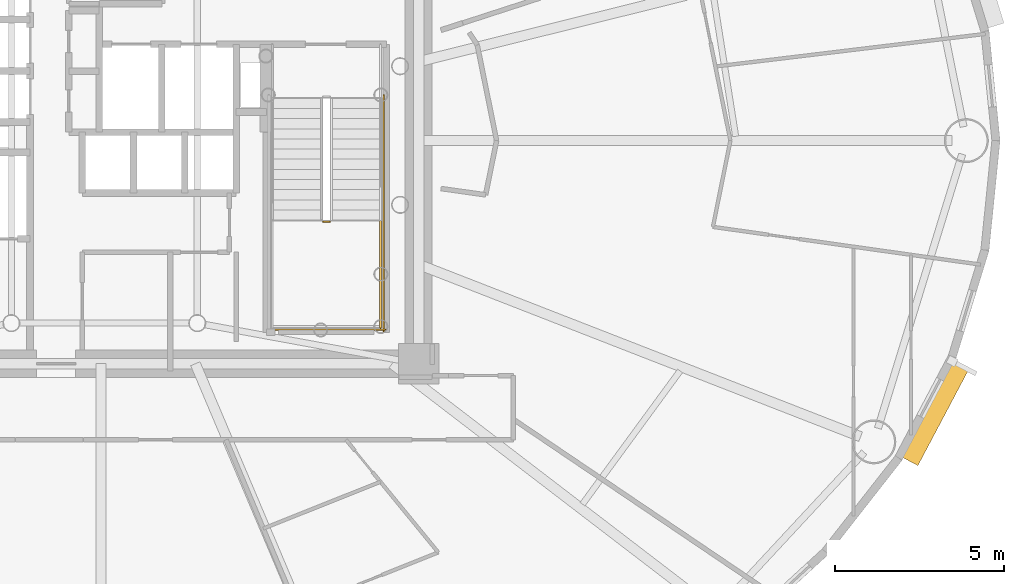
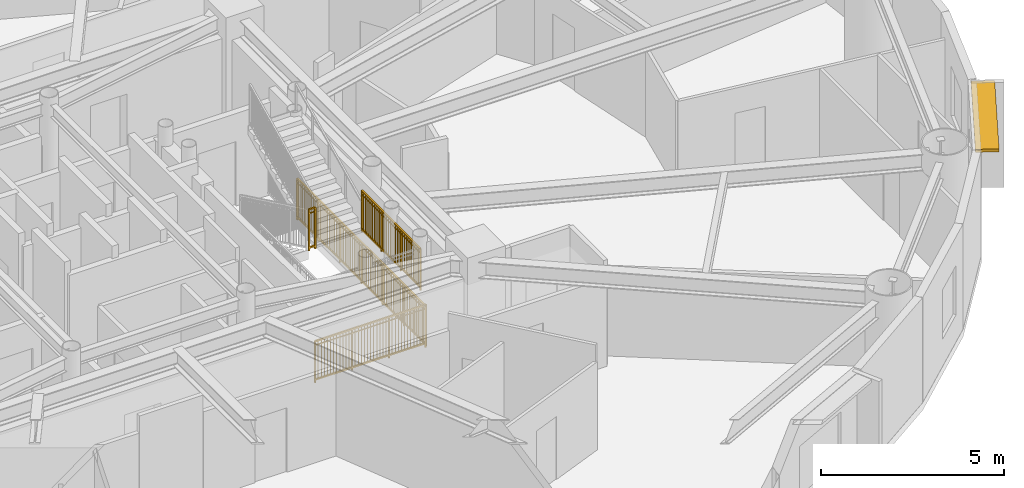
# One storey, part 18 of 20: 4 railings, 1 shading device.
"""IFC4 building model written with IfcOpenShell, lengths in metres."""

import ifcopenshell
import ifcopenshell.guid

model = None  # the IFC model being written
_history = None  # IfcOwnerHistory: only IFC2X3 demands one
_inside = {}  # id of a spatial element -> (the spatial element, [elements in it])
_under = {}  # id of a project, library or spatial element -> (it, [spatial elements below it])
_declared = {}  # id of a project -> (the project, [libraries it declares])
_typed = {}  # id of a type object -> (the type object, [elements of that type])
_made_of = {}  # id of a material, layer set ... -> (it, [elements and type objects made of it])


def new_model(schema):
    """Start an empty IFC model of exactly this schema.

    Asked for "IFC4X3", IfcOpenShell would pick the latest addendum, in which some entities
    have other attributes; the version numbers below select the first issue.
    IFC2X3 requires an IfcOwnerHistory on every rooted entity: one is made here for all.
    """
    global model, _history
    if schema == "IFC4X3":
        model = ifcopenshell.file(schema_version=(4, 3, 0, 0))
    else:
        model = ifcopenshell.file(schema=schema)
    _inside.clear()
    _under.clear()
    _declared.clear()
    _typed.clear()
    _made_of.clear()
    _history = None
    if model.schema == "IFC2X3":
        org = make("IfcOrganization", Name="unknown")
        user = make(
            "IfcPersonAndOrganization",
            ThePerson=make("IfcPerson", FamilyName="unknown"),
            TheOrganization=org,
        )
        app = make(
            "IfcApplication",
            ApplicationDeveloper=org,
            Version="unknown",
            ApplicationFullName="unknown",
            ApplicationIdentifier="unknown",
        )
        _history = make(
            "IfcOwnerHistory",
            OwningUser=user,
            OwningApplication=app,
            ChangeAction="ADDED",
            CreationDate=0,
        )
    return model


def make(cls, **values):
    """One entity of the class cls with the attributes given. An attribute that is None is left unset."""
    return model.create_entity(
        cls, **{name: value for name, value in values.items() if value is not None}
    )


def rooted(cls, **values):
    """An entity with a GlobalId (a new one), such as an element, a storey or a relation."""
    return make(cls, GlobalId=ifcopenshell.guid.new(), OwnerHistory=_history, **values)


def si_unit(unit_type, name, prefix=None):
    """IfcSIUnit, for example si_unit("LENGTHUNIT", "METRE", prefix="MILLI")."""
    return make("IfcSIUnit", UnitType=unit_type, Prefix=prefix, Name=name)


def assignment(units):
    """IfcUnitAssignment: the units of a project."""
    return None if units is None else make("IfcUnitAssignment", Units=units)


def point(xyz):
    """IfcCartesianPoint."""
    return None if xyz is None else make("IfcCartesianPoint", Coordinates=xyz)


def direction(xyz):
    """IfcDirection."""
    return None if xyz is None else make("IfcDirection", DirectionRatios=xyz)


def frame(location, z_axis=None, x_axis=None):
    """IfcAxis2Placement3D, a coordinate frame: its origin and axes. An axis left out is left unset."""
    return make(
        "IfcAxis2Placement3D",
        Location=point(location),
        Axis=direction(z_axis),
        RefDirection=direction(x_axis),
    )


def frame_2d(location, x_axis=None):
    """IfcAxis2Placement2D, a coordinate frame in the plane: its origin and x axis."""
    return make(
        "IfcAxis2Placement2D", Location=point(location), RefDirection=direction(x_axis)
    )


def origin():
    """The frame at (0, 0, 0) with its axes left unset."""
    return frame((0.0, 0.0, 0.0))


def origin_2d():
    """The frame at (0, 0) in the plane with its x axis left unset."""
    return frame_2d((0.0, 0.0))


def place(relative_to, where):
    """IfcLocalPlacement: puts the frame where relative to a parent placement (None: the world)."""
    return make(
        "IfcLocalPlacement", PlacementRelTo=relative_to, RelativePlacement=where
    )


def context(
    kind, dimensions, precision=None, world=None, true_north=None, identifier=None
):
    """IfcGeometricRepresentationContext, for example the 3D "Model" context."""
    return make(
        "IfcGeometricRepresentationContext",
        ContextIdentifier=identifier,
        ContextType=kind,
        CoordinateSpaceDimension=dimensions,
        Precision=precision,
        WorldCoordinateSystem=world,
        TrueNorth=true_north,
    )


def subcontext(parent, identifier, kind, view, scale=None):
    """IfcGeometricRepresentationSubContext, for example "Body" below "Model"."""
    return make(
        "IfcGeometricRepresentationSubContext",
        ContextIdentifier=identifier,
        ContextType=kind,
        ParentContext=parent,
        TargetScale=scale,
        TargetView=view,
    )


def project(units=None, contexts=None):
    """IfcProject with its units and contexts."""
    return rooted(
        "IfcProject",
        Name="project",
        RepresentationContexts=contexts,
        UnitsInContext=assignment(units),
    )


def spatial(cls, under=None, at=None, **own):
    """A site, building, storey or space (cls), placed at a placement, below another one or the project."""
    s = rooted(cls, ObjectPlacement=at, **own)
    if under is not None:
        _under.setdefault(under.id(), (under, []))[1].append(s)
    return s


def profile(cls, at=None, kind="AREA", **sizes):
    """A parametric profile (cls). Its sizes go by their IFC names, for example OverallWidth=200.0."""
    return make(cls, ProfileType=kind, Position=at, **sizes)


def rectangle(**sizes):
    """IfcRectangleProfileDef."""
    return profile("IfcRectangleProfileDef", **sizes)


def extrude(swept, where, along, depth):
    """IfcExtrudedAreaSolid: the profile swept, set in the frame where, extruded along a direction by depth."""
    return make(
        "IfcExtrudedAreaSolid",
        SweptArea=swept,
        Position=where,
        ExtrudedDirection=direction(along),
        Depth=depth,
    )


def shape(context_of_items, identifier, shape_type, items):
    """IfcShapeRepresentation: the items that make up one representation, for example the "Body"."""
    return make(
        "IfcShapeRepresentation",
        ContextOfItems=context_of_items,
        RepresentationIdentifier=identifier,
        RepresentationType=shape_type,
        Items=items,
    )


def source(mapping_origin, context_of_items, identifier, shape_type, items):
    """IfcRepresentationMap: a shape defined once, which mapped items show again and again."""
    return make(
        "IfcRepresentationMap",
        MappingOrigin=mapping_origin,
        MappedRepresentation=shape(context_of_items, identifier, shape_type, items),
    )


def transform(
    local_origin,
    x_axis=None,
    y_axis=None,
    z_axis=None,
    scale=None,
    scale2=None,
    scale3=None,
    uniform=True,
):
    """IfcCartesianTransformationOperator3D, or its non-uniform kind. x_axis, y_axis, z_axis: its Axis1, 2, 3."""
    if uniform:
        return make(
            "IfcCartesianTransformationOperator3D",
            Axis1=direction(x_axis),
            Axis2=direction(y_axis),
            LocalOrigin=point(local_origin),
            Scale=scale,
            Axis3=direction(z_axis),
        )
    return make(
        "IfcCartesianTransformationOperator3DnonUniform",
        Axis1=direction(x_axis),
        Axis2=direction(y_axis),
        LocalOrigin=point(local_origin),
        Scale=scale,
        Axis3=direction(z_axis),
        Scale2=scale2,
        Scale3=scale3,
    )


def mapped(mapping_source, mapping_target):
    """IfcMappedItem: shows the shape of a source again, moved by a transform."""
    return make(
        "IfcMappedItem", MappingSource=mapping_source, MappingTarget=mapping_target
    )


def material(Name=None, Category=None):
    """IfcMaterial."""
    return make("IfcMaterial", Name=Name, Category=Category)


def layer(
    of_material, thickness, ventilated=None, Name=None, Category=None, Priority=None
):
    """IfcMaterialLayer: one layer of a wall or slab, of a material (None: an air gap)."""
    return make(
        "IfcMaterialLayer",
        Material=of_material,
        LayerThickness=thickness,
        IsVentilated=ventilated,
        Name=Name,
        Category=Category,
        Priority=Priority,
    )


def layer_set(layers, Name=None):
    """IfcMaterialLayerSet."""
    return make("IfcMaterialLayerSet", MaterialLayers=layers, LayerSetName=Name)


def made_of(thing, what):
    """Note that an element or type object is made of a material, layer set ...; save() writes the relation."""
    if what is not None:
        _made_of.setdefault(what.id(), (what, []))[1].append(thing)
    return thing


def type_object(cls, material=None, **own):
    """A type object (cls), such as IfcWallType, which elements share."""
    return made_of(rooted(cls, **own), material)


def element(
    cls,
    number,
    at=None,
    inside=None,
    cuts=None,
    type_object=None,
    material=None,
    context=None,
    identifier="Body",
    shape_type=None,
    held_by="IfcProductDefinitionShape",
    body=None,
    shapes=None,
    **own,
):
    """One element of the class cls, such as IfcWall. Its Tag is "e" and its number.

    at: its placement. inside: the storey or other place that contains it. cuts: it is an
    opening in that element (IfcRelVoidsElement). A single representation is given by context,
    identifier, shape_type and body (its items); several are given by shapes. held_by: the class
    of the entity that holds the representations. save() writes the other relations.
    """
    e = rooted(cls, Tag="e%d" % number, ObjectPlacement=at, **own)
    if body is not None:
        shapes = [shape(context, identifier, shape_type, body)]
    if shapes is not None:
        e.Representation = make(held_by, Representations=shapes)
    if inside is not None:
        _inside.setdefault(inside.id(), (inside, []))[1].append(e)
    if cuts is not None:
        rooted(
            "IfcRelVoidsElement", RelatingBuildingElement=cuts, RelatedOpeningElement=e
        )
    if type_object is not None:
        _typed.setdefault(type_object.id(), (type_object, []))[1].append(e)
    return made_of(e, material)


def aggregate(whole, parts):
    """IfcRelAggregates: a whole, such as a stair, and the parts it consists of."""
    return rooted("IfcRelAggregates", RelatingObject=whole, RelatedObjects=parts)


def save(model, path):
    """Write the relations noted so far, then the file.

    IfcRelAggregates (storeys below a building ...), IfcRelContainedInSpatialStructure (elements
    in a storey), IfcRelDefinesByType, IfcRelAssociatesMaterial and IfcRelDeclares: one each for
    every whole, place, type object, material and project.
    """
    for whole, parts in _under.values():
        aggregate(whole, parts)
    for where, things in _inside.values():
        rooted(
            "IfcRelContainedInSpatialStructure",
            RelatedElements=things,
            RelatingStructure=where,
        )
    for kind, things in _typed.values():
        rooted("IfcRelDefinesByType", RelatedObjects=things, RelatingType=kind)
    for what, things in _made_of.values():
        rooted("IfcRelAssociatesMaterial", RelatedObjects=things, RelatingMaterial=what)
    for by, libraries in _declared.values():
        rooted("IfcRelDeclares", RelatingContext=by, RelatedDefinitions=libraries)
    model.write(path)


model = new_model("IFC4")

# Units and contexts
model_context = context("Model", 3, precision=1e-05, world=origin(), true_north=direction((0.0, 1.0)))
body_context = subcontext(model_context, "Body", "Model", "MODEL_VIEW")
ifc_project = project(units=[si_unit("LENGTHUNIT", "METRE"), si_unit("AREAUNIT", "SQUARE_METRE"), si_unit("VOLUMEUNIT", "CUBIC_METRE"), si_unit("PLANEANGLEUNIT", "RADIAN"), si_unit("MASSUNIT", "GRAM", prefix="KILO")], contexts=[model_context])

# Site, building, storey
site_placement = place(None, origin())
site = spatial("IfcSite", under=ifc_project, at=site_placement, CompositionType="ELEMENT")
building_placement = place(site_placement, origin())
building = spatial("IfcBuilding", under=site, at=building_placement, Name="Linh Dai School and Residence Tower", CompositionType="ELEMENT")
storey_placement = place(building_placement, frame((0.0, 0.0, 163.64990234375)))
storey = spatial("IfcBuildingStorey", under=building, at=storey_placement, Name="L39", CompositionType="ELEMENT", Elevation=163.64990234375)

# Shading device
ifc_material_1 = material(Name="Terracotta Ceramic Sunshade", Category="masonry")
ifc_layer = layer(ifc_material_1, 0.10009765625)
ifc_layer_set = layer_set([ifc_layer], Name="Terracotta Ceramic Sunshade")
shading_device_type = type_object("IfcShadingDeviceType", Name="SHD-TC-650", PredefinedType="USERDEFINED", material=ifc_layer_set)
shared_shape_1 = source(origin(), body_context, "Body", "SweptSolid", [
    extrude(rectangle(XDim=3.257568359375, YDim=0.64990234375, at=origin_2d()), origin(), (0.0, 0.0, 1.0), 0.10009765625),
])
shading_device_placement = place(storey_placement, frame((60.641357421875, 18.97802734375, 3.380126953125), z_axis=(0.0, 0.0, 1.0), x_axis=(-0.467580060884, -0.883950726378, 0.0)))
element("IfcShadingDevice", 1, at=shading_device_placement, inside=storey, type_object=shading_device_type, Name="L39 Terracotta Horizontal Sunshade Band 38", ObjectType="SUNSHADE", PredefinedType="USERDEFINED", context=body_context, shape_type="MappedRepresentation", body=[
    mapped(shared_shape_1, transform((0.0, 0.0, 0.0), x_axis=(1.0, 0.0, 0.0), y_axis=(0.0, 1.0, 0.0), z_axis=(0.0, 0.0, 1.0), scale=1.0)),
])

# Railings
ifc_material_2 = material(Name="Structural Steel S355JR", Category="steel")
railing_type = type_object("IfcRailingType", Name="RL-ST-GUARD-1400", PredefinedType="GUARDRAIL", material=ifc_material_2)
shared_shape_2 = source(origin(), body_context, "Body", "SweptSolid", [
    extrude(rectangle(XDim=0.048095703125, YDim=0.048095703125, at=origin_2d()), frame((0.0, 0.0, 1.3759765625), z_axis=(1.0, 0.0, 0.0), x_axis=(0.0, 1.0, 0.0)), (0.0, 0.0, 1.0), 0.199951171875),
    extrude(rectangle(XDim=0.048095703125, YDim=0.048095703125, at=origin_2d()), frame((0.0, 0.0, 0.10009765625), z_axis=(1.0, 0.0, 0.0), x_axis=(0.0, 1.0, 0.0)), (0.0, 0.0, 1.0), 0.199951171875),
    extrude(rectangle(XDim=0.030029296875, YDim=0.030029296875, at=origin_2d()), frame((0.0, 0.0, 1.239990234375), z_axis=(1.0, 0.0, 0.0), x_axis=(0.0, 1.0, 0.0)), (0.0, 0.0, 1.0), 0.199951171875),
    extrude(rectangle(XDim=0.0419921875, YDim=0.0419921875, at=origin_2d()), origin(), (0.0, 0.0, 1.0), 1.3759765625),
    extrude(rectangle(XDim=0.0419921875, YDim=0.0419921875, at=origin_2d()), frame((0.199951171875, 0.0, 0.0)), (0.0, 0.0, 1.0), 1.3759765625),
])
railing_1_placement = place(storey_placement, frame((42.570068359375, 24.60009765625, 1.875)))
element("IfcRailing", 2, at=railing_1_placement, inside=storey, type_object=railing_type, Name="L39 ST2 stair guard 2", PredefinedType="GUARDRAIL", context=body_context, shape_type="MappedRepresentation", body=[
    mapped(shared_shape_2, transform((0.0, 0.0, 0.0), x_axis=(1.0, 0.0, 0.0), y_axis=(0.0, 1.0, 0.0), z_axis=(0.0, 0.0, 1.0), scale=1.0)),
])
shared_shape_3 = source(origin(), body_context, "Body", "SweptSolid", [
    extrude(rectangle(XDim=0.048095703125, YDim=0.048095703125, at=origin_2d()), frame((0.0, 0.0, 1.3759765625), z_axis=(0.0, -1.0, 0.0), x_axis=(1.0, 0.0, 0.0)), (0.0, 0.0, 1.0), 7.0),
    extrude(rectangle(XDim=0.048095703125, YDim=0.048095703125, at=origin_2d()), frame((0.0, 0.0, 0.10009765625), z_axis=(0.0, -1.0, 0.0), x_axis=(1.0, 0.0, 0.0)), (0.0, 0.0, 1.0), 7.0),
    extrude(rectangle(XDim=0.030029296875, YDim=0.030029296875, at=origin_2d()), frame((0.0, 0.0, 1.239990234375), z_axis=(0.0, -1.0, 0.0), x_axis=(1.0, 0.0, 0.0)), (0.0, 0.0, 1.0), 7.0),
    extrude(rectangle(XDim=0.02001953125, YDim=0.02001953125, at=origin_2d()), frame((0.0, -0.09716796875, 0.10009765625)), (0.0, 0.0, 1.0), 1.251708984375),
    extrude(rectangle(XDim=0.02001953125, YDim=0.02001953125, at=origin_2d()), frame((0.0, -0.1943359375, 0.10009765625)), (0.0, 0.0, 1.0), 1.251708984375),
    extrude(rectangle(XDim=0.02001953125, YDim=0.02001953125, at=origin_2d()), frame((0.0, -0.291748046875, 0.10009765625)), (0.0, 0.0, 1.0), 1.251708984375),
    extrude(rectangle(XDim=0.02001953125, YDim=0.02001953125, at=origin_2d()), frame((0.0, -0.388916015625, 0.10009765625)), (0.0, 0.0, 1.0), 1.251708984375),
    extrude(rectangle(XDim=0.02001953125, YDim=0.02001953125, at=origin_2d()), frame((0.0, -0.486083984375, 0.10009765625)), (0.0, 0.0, 1.0), 1.251708984375),
    extrude(rectangle(XDim=0.02001953125, YDim=0.02001953125, at=origin_2d()), frame((0.0, -0.583251953125, 0.10009765625)), (0.0, 0.0, 1.0), 1.251708984375),
    extrude(rectangle(XDim=0.02001953125, YDim=0.02001953125, at=origin_2d()), frame((0.0, -0.6806640625, 0.10009765625)), (0.0, 0.0, 1.0), 1.251708984375),
    extrude(rectangle(XDim=0.02001953125, YDim=0.02001953125, at=origin_2d()), frame((0.0, -0.77783203125, 0.10009765625)), (0.0, 0.0, 1.0), 1.251708984375),
    extrude(rectangle(XDim=0.02001953125, YDim=0.02001953125, at=origin_2d()), frame((0.0, -0.875, 0.10009765625)), (0.0, 0.0, 1.0), 1.251708984375),
    extrude(rectangle(XDim=0.02001953125, YDim=0.02001953125, at=origin_2d()), frame((0.0, -0.97216796875, 0.10009765625)), (0.0, 0.0, 1.0), 1.251708984375),
    extrude(rectangle(XDim=0.02001953125, YDim=0.02001953125, at=origin_2d()), frame((0.0, -1.0693359375, 0.10009765625)), (0.0, 0.0, 1.0), 1.251708984375),
    extrude(rectangle(XDim=0.02001953125, YDim=0.02001953125, at=origin_2d()), frame((0.0, -1.263916015625, 0.10009765625)), (0.0, 0.0, 1.0), 1.251708984375),
    extrude(rectangle(XDim=0.02001953125, YDim=0.02001953125, at=origin_2d()), frame((0.0, -1.361083984375, 0.10009765625)), (0.0, 0.0, 1.0), 1.251708984375),
    extrude(rectangle(XDim=0.02001953125, YDim=0.02001953125, at=origin_2d()), frame((0.0, -1.458251953125, 0.10009765625)), (0.0, 0.0, 1.0), 1.251708984375),
    extrude(rectangle(XDim=0.02001953125, YDim=0.02001953125, at=origin_2d()), frame((0.0, -1.5556640625, 0.10009765625)), (0.0, 0.0, 1.0), 1.251708984375),
    extrude(rectangle(XDim=0.02001953125, YDim=0.02001953125, at=origin_2d()), frame((0.0, -1.65283203125, 0.10009765625)), (0.0, 0.0, 1.0), 1.251708984375),
    extrude(rectangle(XDim=0.02001953125, YDim=0.02001953125, at=origin_2d()), frame((0.0, -1.75, 0.10009765625)), (0.0, 0.0, 1.0), 1.251708984375),
    extrude(rectangle(XDim=0.02001953125, YDim=0.02001953125, at=origin_2d()), frame((0.0, -1.84716796875, 0.10009765625)), (0.0, 0.0, 1.0), 1.251708984375),
    extrude(rectangle(XDim=0.02001953125, YDim=0.02001953125, at=origin_2d()), frame((0.0, -1.9443359375, 0.10009765625)), (0.0, 0.0, 1.0), 1.251708984375),
    extrude(rectangle(XDim=0.02001953125, YDim=0.02001953125, at=origin_2d()), frame((0.0, -2.041748046875, 0.10009765625)), (0.0, 0.0, 1.0), 1.251708984375),
    extrude(rectangle(XDim=0.02001953125, YDim=0.02001953125, at=origin_2d()), frame((0.0, -2.138916015625, 0.10009765625)), (0.0, 0.0, 1.0), 1.251708984375),
    extrude(rectangle(XDim=0.02001953125, YDim=0.02001953125, at=origin_2d()), frame((0.0, -2.236083984375, 0.10009765625)), (0.0, 0.0, 1.0), 1.251708984375),
    extrude(rectangle(XDim=0.02001953125, YDim=0.02001953125, at=origin_2d()), frame((0.0, -2.4306640625, 0.10009765625)), (0.0, 0.0, 1.0), 1.251708984375),
    extrude(rectangle(XDim=0.02001953125, YDim=0.02001953125, at=origin_2d()), frame((0.0, -2.52783203125, 0.10009765625)), (0.0, 0.0, 1.0), 1.251708984375),
    extrude(rectangle(XDim=0.02001953125, YDim=0.02001953125, at=origin_2d()), frame((0.0, -2.625, 0.10009765625)), (0.0, 0.0, 1.0), 1.251708984375),
    extrude(rectangle(XDim=0.02001953125, YDim=0.02001953125, at=origin_2d()), frame((0.0, -2.72216796875, 0.10009765625)), (0.0, 0.0, 1.0), 1.251708984375),
    extrude(rectangle(XDim=0.02001953125, YDim=0.02001953125, at=origin_2d()), frame((0.0, -2.8193359375, 0.10009765625)), (0.0, 0.0, 1.0), 1.251708984375),
    extrude(rectangle(XDim=0.02001953125, YDim=0.02001953125, at=origin_2d()), frame((0.0, -2.916748046875, 0.10009765625)), (0.0, 0.0, 1.0), 1.251708984375),
    extrude(rectangle(XDim=0.02001953125, YDim=0.02001953125, at=origin_2d()), frame((0.0, -3.013916015625, 0.10009765625)), (0.0, 0.0, 1.0), 1.251708984375),
    extrude(rectangle(XDim=0.02001953125, YDim=0.02001953125, at=origin_2d()), frame((0.0, -3.111083984375, 0.10009765625)), (0.0, 0.0, 1.0), 1.251708984375),
    extrude(rectangle(XDim=0.02001953125, YDim=0.02001953125, at=origin_2d()), frame((0.0, -3.208251953125, 0.10009765625)), (0.0, 0.0, 1.0), 1.251708984375),
    extrude(rectangle(XDim=0.02001953125, YDim=0.02001953125, at=origin_2d()), frame((0.0, -3.3056640625, 0.10009765625)), (0.0, 0.0, 1.0), 1.251708984375),
    extrude(rectangle(XDim=0.02001953125, YDim=0.02001953125, at=origin_2d()), frame((0.0, -3.40283203125, 0.10009765625)), (0.0, 0.0, 1.0), 1.251708984375),
    extrude(rectangle(XDim=0.02001953125, YDim=0.02001953125, at=origin_2d()), frame((0.0, -3.59716796875, 0.10009765625)), (0.0, 0.0, 1.0), 1.251708984375),
    extrude(rectangle(XDim=0.02001953125, YDim=0.02001953125, at=origin_2d()), frame((0.0, -3.6943359375, 0.10009765625)), (0.0, 0.0, 1.0), 1.251708984375),
    extrude(rectangle(XDim=0.02001953125, YDim=0.02001953125, at=origin_2d()), frame((0.0, -3.791748046875, 0.10009765625)), (0.0, 0.0, 1.0), 1.251708984375),
    extrude(rectangle(XDim=0.02001953125, YDim=0.02001953125, at=origin_2d()), frame((0.0, -3.888916015625, 0.10009765625)), (0.0, 0.0, 1.0), 1.251708984375),
    extrude(rectangle(XDim=0.02001953125, YDim=0.02001953125, at=origin_2d()), frame((0.0, -3.986083984375, 0.10009765625)), (0.0, 0.0, 1.0), 1.251708984375),
    extrude(rectangle(XDim=0.02001953125, YDim=0.02001953125, at=origin_2d()), frame((0.0, -4.083251953125, 0.10009765625)), (0.0, 0.0, 1.0), 1.251708984375),
    extrude(rectangle(XDim=0.02001953125, YDim=0.02001953125, at=origin_2d()), frame((0.0, -4.1806640625, 0.10009765625)), (0.0, 0.0, 1.0), 1.251708984375),
    extrude(rectangle(XDim=0.02001953125, YDim=0.02001953125, at=origin_2d()), frame((0.0, -4.27783203125, 0.10009765625)), (0.0, 0.0, 1.0), 1.251708984375),
    extrude(rectangle(XDim=0.02001953125, YDim=0.02001953125, at=origin_2d()), frame((0.0, -4.375, 0.10009765625)), (0.0, 0.0, 1.0), 1.251708984375),
    extrude(rectangle(XDim=0.02001953125, YDim=0.02001953125, at=origin_2d()), frame((0.0, -4.47216796875, 0.10009765625)), (0.0, 0.0, 1.0), 1.251708984375),
    extrude(rectangle(XDim=0.02001953125, YDim=0.02001953125, at=origin_2d()), frame((0.0, -4.5693359375, 0.10009765625)), (0.0, 0.0, 1.0), 1.251708984375),
    extrude(rectangle(XDim=0.02001953125, YDim=0.02001953125, at=origin_2d()), frame((0.0, -4.763916015625, 0.10009765625)), (0.0, 0.0, 1.0), 1.251708984375),
    extrude(rectangle(XDim=0.02001953125, YDim=0.02001953125, at=origin_2d()), frame((0.0, -4.861083984375, 0.10009765625)), (0.0, 0.0, 1.0), 1.251708984375),
    extrude(rectangle(XDim=0.02001953125, YDim=0.02001953125, at=origin_2d()), frame((0.0, -4.958251953125, 0.10009765625)), (0.0, 0.0, 1.0), 1.251708984375),
    extrude(rectangle(XDim=0.02001953125, YDim=0.02001953125, at=origin_2d()), frame((0.0, -5.0556640625, 0.10009765625)), (0.0, 0.0, 1.0), 1.251708984375),
    extrude(rectangle(XDim=0.02001953125, YDim=0.02001953125, at=origin_2d()), frame((0.0, -5.15283203125, 0.10009765625)), (0.0, 0.0, 1.0), 1.251708984375),
    extrude(rectangle(XDim=0.02001953125, YDim=0.02001953125, at=origin_2d()), frame((0.0, -5.25, 0.10009765625)), (0.0, 0.0, 1.0), 1.251708984375),
    extrude(rectangle(XDim=0.02001953125, YDim=0.02001953125, at=origin_2d()), frame((0.0, -5.34716796875, 0.10009765625)), (0.0, 0.0, 1.0), 1.251708984375),
    extrude(rectangle(XDim=0.02001953125, YDim=0.02001953125, at=origin_2d()), frame((0.0, -5.4443359375, 0.10009765625)), (0.0, 0.0, 1.0), 1.251708984375),
    extrude(rectangle(XDim=0.02001953125, YDim=0.02001953125, at=origin_2d()), frame((0.0, -5.541748046875, 0.10009765625)), (0.0, 0.0, 1.0), 1.251708984375),
    extrude(rectangle(XDim=0.02001953125, YDim=0.02001953125, at=origin_2d()), frame((0.0, -5.638916015625, 0.10009765625)), (0.0, 0.0, 1.0), 1.251708984375),
    extrude(rectangle(XDim=0.02001953125, YDim=0.02001953125, at=origin_2d()), frame((0.0, -5.736083984375, 0.10009765625)), (0.0, 0.0, 1.0), 1.251708984375),
    extrude(rectangle(XDim=0.02001953125, YDim=0.02001953125, at=origin_2d()), frame((0.0, -5.9306640625, 0.10009765625)), (0.0, 0.0, 1.0), 1.251708984375),
    extrude(rectangle(XDim=0.02001953125, YDim=0.02001953125, at=origin_2d()), frame((0.0, -6.02783203125, 0.10009765625)), (0.0, 0.0, 1.0), 1.251708984375),
    extrude(rectangle(XDim=0.02001953125, YDim=0.02001953125, at=origin_2d()), frame((0.0, -6.125, 0.10009765625)), (0.0, 0.0, 1.0), 1.251708984375),
    extrude(rectangle(XDim=0.02001953125, YDim=0.02001953125, at=origin_2d()), frame((0.0, -6.22216796875, 0.10009765625)), (0.0, 0.0, 1.0), 1.251708984375),
    extrude(rectangle(XDim=0.02001953125, YDim=0.02001953125, at=origin_2d()), frame((0.0, -6.3193359375, 0.10009765625)), (0.0, 0.0, 1.0), 1.251708984375),
    extrude(rectangle(XDim=0.02001953125, YDim=0.02001953125, at=origin_2d()), frame((0.0, -6.416748046875, 0.10009765625)), (0.0, 0.0, 1.0), 1.251708984375),
    extrude(rectangle(XDim=0.02001953125, YDim=0.02001953125, at=origin_2d()), frame((0.0, -6.513916015625, 0.10009765625)), (0.0, 0.0, 1.0), 1.251708984375),
    extrude(rectangle(XDim=0.02001953125, YDim=0.02001953125, at=origin_2d()), frame((0.0, -6.611083984375, 0.10009765625)), (0.0, 0.0, 1.0), 1.251708984375),
    extrude(rectangle(XDim=0.02001953125, YDim=0.02001953125, at=origin_2d()), frame((0.0, -6.708251953125, 0.10009765625)), (0.0, 0.0, 1.0), 1.251708984375),
    extrude(rectangle(XDim=0.02001953125, YDim=0.02001953125, at=origin_2d()), frame((0.0, -6.8056640625, 0.10009765625)), (0.0, 0.0, 1.0), 1.251708984375),
    extrude(rectangle(XDim=0.02001953125, YDim=0.02001953125, at=origin_2d()), frame((0.0, -6.90283203125, 0.10009765625)), (0.0, 0.0, 1.0), 1.251708984375),
    extrude(rectangle(XDim=0.0419921875, YDim=0.0419921875, at=origin_2d()), origin(), (0.0, 0.0, 1.0), 1.3759765625),
    extrude(rectangle(XDim=0.0419921875, YDim=0.0419921875, at=origin_2d()), frame((0.0, -1.166748046875, 0.0)), (0.0, 0.0, 1.0), 1.3759765625),
    extrude(rectangle(XDim=0.0419921875, YDim=0.0419921875, at=origin_2d()), frame((0.0, -2.333251953125, 0.0)), (0.0, 0.0, 1.0), 1.3759765625),
    extrude(rectangle(XDim=0.0419921875, YDim=0.0419921875, at=origin_2d()), frame((0.0, -3.5, 0.0)), (0.0, 0.0, 1.0), 1.3759765625),
    extrude(rectangle(XDim=0.0419921875, YDim=0.0419921875, at=origin_2d()), frame((0.0, -4.666748046875, 0.0)), (0.0, 0.0, 1.0), 1.3759765625),
    extrude(rectangle(XDim=0.0419921875, YDim=0.0419921875, at=origin_2d()), frame((0.0, -5.833251953125, 0.0)), (0.0, 0.0, 1.0), 1.3759765625),
    extrude(rectangle(XDim=0.0419921875, YDim=0.0419921875, at=origin_2d()), frame((0.0, -7.0, 0.0)), (0.0, 0.0, 1.0), 1.3759765625),
])
railing_2_placement = place(storey_placement, frame((44.3701171875, 28.35009765625, 0.0)))
element("IfcRailing", 3, at=railing_2_placement, inside=storey, type_object=railing_type, Name="L39 ST2 stair guard 11", PredefinedType="GUARDRAIL", context=body_context, shape_type="MappedRepresentation", body=[
    mapped(shared_shape_3, transform((0.0, 0.0, 0.0), x_axis=(1.0, 0.0, 0.0), y_axis=(0.0, 1.0, 0.0), z_axis=(0.0, 0.0, 1.0), scale=1.0)),
])
shared_shape_4 = source(origin(), body_context, "Body", "SweptSolid", [
    extrude(rectangle(XDim=0.048095703125, YDim=0.048095703125, at=origin_2d()), frame((0.0, 0.0, 1.3759765625), z_axis=(1.0, 0.0, 0.0), x_axis=(0.0, 1.0, 0.0)), (0.0, 0.0, 1.0), 3.5),
    extrude(rectangle(XDim=0.048095703125, YDim=0.048095703125, at=origin_2d()), frame((0.0, 0.0, 0.10009765625), z_axis=(1.0, 0.0, 0.0), x_axis=(0.0, 1.0, 0.0)), (0.0, 0.0, 1.0), 3.5),
    extrude(rectangle(XDim=0.030029296875, YDim=0.030029296875, at=origin_2d()), frame((0.0, 0.0, 1.239990234375), z_axis=(1.0, 0.0, 0.0), x_axis=(0.0, 1.0, 0.0)), (0.0, 0.0, 1.0), 3.5),
    extrude(rectangle(XDim=0.02001953125, YDim=0.02001953125, at=origin_2d()), frame((0.09716796875, 0.0, 0.10009765625)), (0.0, 0.0, 1.0), 1.251708984375),
    extrude(rectangle(XDim=0.02001953125, YDim=0.02001953125, at=origin_2d()), frame((0.1943359375, 0.0, 0.10009765625)), (0.0, 0.0, 1.0), 1.251708984375),
    extrude(rectangle(XDim=0.02001953125, YDim=0.02001953125, at=origin_2d()), frame((0.291748046875, 0.0, 0.10009765625)), (0.0, 0.0, 1.0), 1.251708984375),
    extrude(rectangle(XDim=0.02001953125, YDim=0.02001953125, at=origin_2d()), frame((0.388916015625, 0.0, 0.10009765625)), (0.0, 0.0, 1.0), 1.251708984375),
    extrude(rectangle(XDim=0.02001953125, YDim=0.02001953125, at=origin_2d()), frame((0.486083984375, 0.0, 0.10009765625)), (0.0, 0.0, 1.0), 1.251708984375),
    extrude(rectangle(XDim=0.02001953125, YDim=0.02001953125, at=origin_2d()), frame((0.583251953125, 0.0, 0.10009765625)), (0.0, 0.0, 1.0), 1.251708984375),
    extrude(rectangle(XDim=0.02001953125, YDim=0.02001953125, at=origin_2d()), frame((0.6806640625, 0.0, 0.10009765625)), (0.0, 0.0, 1.0), 1.251708984375),
    extrude(rectangle(XDim=0.02001953125, YDim=0.02001953125, at=origin_2d()), frame((0.77783203125, 0.0, 0.10009765625)), (0.0, 0.0, 1.0), 1.251708984375),
    extrude(rectangle(XDim=0.02001953125, YDim=0.02001953125, at=origin_2d()), frame((0.875, 0.0, 0.10009765625)), (0.0, 0.0, 1.0), 1.251708984375),
    extrude(rectangle(XDim=0.02001953125, YDim=0.02001953125, at=origin_2d()), frame((0.97216796875, 0.0, 0.10009765625)), (0.0, 0.0, 1.0), 1.251708984375),
    extrude(rectangle(XDim=0.02001953125, YDim=0.02001953125, at=origin_2d()), frame((1.0693359375, 0.0, 0.10009765625)), (0.0, 0.0, 1.0), 1.251708984375),
    extrude(rectangle(XDim=0.02001953125, YDim=0.02001953125, at=origin_2d()), frame((1.263916015625, 0.0, 0.10009765625)), (0.0, 0.0, 1.0), 1.251708984375),
    extrude(rectangle(XDim=0.02001953125, YDim=0.02001953125, at=origin_2d()), frame((1.361083984375, 0.0, 0.10009765625)), (0.0, 0.0, 1.0), 1.251708984375),
    extrude(rectangle(XDim=0.02001953125, YDim=0.02001953125, at=origin_2d()), frame((1.458251953125, 0.0, 0.10009765625)), (0.0, 0.0, 1.0), 1.251708984375),
    extrude(rectangle(XDim=0.02001953125, YDim=0.02001953125, at=origin_2d()), frame((1.5556640625, 0.0, 0.10009765625)), (0.0, 0.0, 1.0), 1.251708984375),
    extrude(rectangle(XDim=0.02001953125, YDim=0.02001953125, at=origin_2d()), frame((1.65283203125, 0.0, 0.10009765625)), (0.0, 0.0, 1.0), 1.251708984375),
    extrude(rectangle(XDim=0.02001953125, YDim=0.02001953125, at=origin_2d()), frame((1.75, 0.0, 0.10009765625)), (0.0, 0.0, 1.0), 1.251708984375),
    extrude(rectangle(XDim=0.02001953125, YDim=0.02001953125, at=origin_2d()), frame((1.84716796875, 0.0, 0.10009765625)), (0.0, 0.0, 1.0), 1.251708984375),
    extrude(rectangle(XDim=0.02001953125, YDim=0.02001953125, at=origin_2d()), frame((1.9443359375, 0.0, 0.10009765625)), (0.0, 0.0, 1.0), 1.251708984375),
    extrude(rectangle(XDim=0.02001953125, YDim=0.02001953125, at=origin_2d()), frame((2.041748046875, 0.0, 0.10009765625)), (0.0, 0.0, 1.0), 1.251708984375),
    extrude(rectangle(XDim=0.02001953125, YDim=0.02001953125, at=origin_2d()), frame((2.138916015625, 0.0, 0.10009765625)), (0.0, 0.0, 1.0), 1.251708984375),
    extrude(rectangle(XDim=0.02001953125, YDim=0.02001953125, at=origin_2d()), frame((2.236083984375, 0.0, 0.10009765625)), (0.0, 0.0, 1.0), 1.251708984375),
    extrude(rectangle(XDim=0.02001953125, YDim=0.02001953125, at=origin_2d()), frame((2.4306640625, 0.0, 0.10009765625)), (0.0, 0.0, 1.0), 1.251708984375),
    extrude(rectangle(XDim=0.02001953125, YDim=0.02001953125, at=origin_2d()), frame((2.52783203125, 0.0, 0.10009765625)), (0.0, 0.0, 1.0), 1.251708984375),
    extrude(rectangle(XDim=0.02001953125, YDim=0.02001953125, at=origin_2d()), frame((2.625, 0.0, 0.10009765625)), (0.0, 0.0, 1.0), 1.251708984375),
    extrude(rectangle(XDim=0.02001953125, YDim=0.02001953125, at=origin_2d()), frame((2.72216796875, 0.0, 0.10009765625)), (0.0, 0.0, 1.0), 1.251708984375),
    extrude(rectangle(XDim=0.02001953125, YDim=0.02001953125, at=origin_2d()), frame((2.8193359375, 0.0, 0.10009765625)), (0.0, 0.0, 1.0), 1.251708984375),
    extrude(rectangle(XDim=0.02001953125, YDim=0.02001953125, at=origin_2d()), frame((2.916748046875, 0.0, 0.10009765625)), (0.0, 0.0, 1.0), 1.251708984375),
    extrude(rectangle(XDim=0.02001953125, YDim=0.02001953125, at=origin_2d()), frame((3.013916015625, 0.0, 0.10009765625)), (0.0, 0.0, 1.0), 1.251708984375),
    extrude(rectangle(XDim=0.02001953125, YDim=0.02001953125, at=origin_2d()), frame((3.111083984375, 0.0, 0.10009765625)), (0.0, 0.0, 1.0), 1.251708984375),
    extrude(rectangle(XDim=0.02001953125, YDim=0.02001953125, at=origin_2d()), frame((3.208251953125, 0.0, 0.10009765625)), (0.0, 0.0, 1.0), 1.251708984375),
    extrude(rectangle(XDim=0.02001953125, YDim=0.02001953125, at=origin_2d()), frame((3.3056640625, 0.0, 0.10009765625)), (0.0, 0.0, 1.0), 1.251708984375),
    extrude(rectangle(XDim=0.02001953125, YDim=0.02001953125, at=origin_2d()), frame((3.40283203125, 0.0, 0.10009765625)), (0.0, 0.0, 1.0), 1.251708984375),
    extrude(rectangle(XDim=0.0419921875, YDim=0.0419921875, at=origin_2d()), origin(), (0.0, 0.0, 1.0), 1.3759765625),
    extrude(rectangle(XDim=0.0419921875, YDim=0.0419921875, at=origin_2d()), frame((1.166748046875, 0.0, 0.0)), (0.0, 0.0, 1.0), 1.3759765625),
    extrude(rectangle(XDim=0.0419921875, YDim=0.0419921875, at=origin_2d()), frame((2.333251953125, 0.0, 0.0)), (0.0, 0.0, 1.0), 1.3759765625),
    extrude(rectangle(XDim=0.0419921875, YDim=0.0419921875, at=origin_2d()), frame((3.5, 0.0, 0.0)), (0.0, 0.0, 1.0), 1.3759765625),
])
railing_3_placement = place(storey_placement, frame((40.919921875, 21.39990234375, 0.0)))
element("IfcRailing", 4, at=railing_3_placement, inside=storey, type_object=railing_type, Name="L39 ST2 stair guard 12", PredefinedType="GUARDRAIL", context=body_context, shape_type="MappedRepresentation", body=[
    mapped(shared_shape_4, transform((0.0, 0.0, 0.0), x_axis=(1.0, 0.0, 0.0), y_axis=(0.0, 1.0, 0.0), z_axis=(0.0, 0.0, 1.0), scale=1.0)),
])
shared_shape_5 = source(origin(), body_context, "Body", "SweptSolid", [
    extrude(rectangle(XDim=0.048095703125, YDim=0.048095703125, at=origin_2d()), frame((0.0, 0.0, 1.3759765625), z_axis=(0.0, -1.0, 0.0), x_axis=(1.0, 0.0, 0.0)), (0.0, 0.0, 1.0), 3.199951171875),
    extrude(rectangle(XDim=0.048095703125, YDim=0.048095703125, at=origin_2d()), frame((0.0, 0.0, 0.10009765625), z_axis=(0.0, -1.0, 0.0), x_axis=(1.0, 0.0, 0.0)), (0.0, 0.0, 1.0), 3.199951171875),
    extrude(rectangle(XDim=0.030029296875, YDim=0.030029296875, at=origin_2d()), frame((0.0, 0.0, 1.239990234375), z_axis=(0.0, -1.0, 0.0), x_axis=(1.0, 0.0, 0.0)), (0.0, 0.0, 1.0), 3.199951171875),
    extrude(rectangle(XDim=0.02001953125, YDim=0.02001953125, at=origin_2d()), frame((0.0, -0.096923828125, 0.10009765625)), (0.0, 0.0, 1.0), 1.251708984375),
    extrude(rectangle(XDim=0.02001953125, YDim=0.02001953125, at=origin_2d()), frame((0.0, -0.19384765625, 0.10009765625)), (0.0, 0.0, 1.0), 1.251708984375),
    extrude(rectangle(XDim=0.02001953125, YDim=0.02001953125, at=origin_2d()), frame((0.0, -0.291015625, 0.10009765625)), (0.0, 0.0, 1.0), 1.251708984375),
    extrude(rectangle(XDim=0.02001953125, YDim=0.02001953125, at=origin_2d()), frame((0.0, -0.387939453125, 0.10009765625)), (0.0, 0.0, 1.0), 1.251708984375),
    extrude(rectangle(XDim=0.02001953125, YDim=0.02001953125, at=origin_2d()), frame((0.0, -0.48486328125, 0.10009765625)), (0.0, 0.0, 1.0), 1.251708984375),
    extrude(rectangle(XDim=0.02001953125, YDim=0.02001953125, at=origin_2d()), frame((0.0, -0.581787109375, 0.10009765625)), (0.0, 0.0, 1.0), 1.251708984375),
    extrude(rectangle(XDim=0.02001953125, YDim=0.02001953125, at=origin_2d()), frame((0.0, -0.6787109375, 0.10009765625)), (0.0, 0.0, 1.0), 1.251708984375),
    extrude(rectangle(XDim=0.02001953125, YDim=0.02001953125, at=origin_2d()), frame((0.0, -0.775634765625, 0.10009765625)), (0.0, 0.0, 1.0), 1.251708984375),
    extrude(rectangle(XDim=0.02001953125, YDim=0.02001953125, at=origin_2d()), frame((0.0, -0.872802734375, 0.10009765625)), (0.0, 0.0, 1.0), 1.251708984375),
    extrude(rectangle(XDim=0.02001953125, YDim=0.02001953125, at=origin_2d()), frame((0.0, -0.9697265625, 0.10009765625)), (0.0, 0.0, 1.0), 1.251708984375),
    extrude(rectangle(XDim=0.02001953125, YDim=0.02001953125, at=origin_2d()), frame((0.0, -1.16357421875, 0.10009765625)), (0.0, 0.0, 1.0), 1.251708984375),
    extrude(rectangle(XDim=0.02001953125, YDim=0.02001953125, at=origin_2d()), frame((0.0, -1.260498046875, 0.10009765625)), (0.0, 0.0, 1.0), 1.251708984375),
    extrude(rectangle(XDim=0.02001953125, YDim=0.02001953125, at=origin_2d()), frame((0.0, -1.357666015625, 0.10009765625)), (0.0, 0.0, 1.0), 1.251708984375),
    extrude(rectangle(XDim=0.02001953125, YDim=0.02001953125, at=origin_2d()), frame((0.0, -1.45458984375, 0.10009765625)), (0.0, 0.0, 1.0), 1.251708984375),
    extrude(rectangle(XDim=0.02001953125, YDim=0.02001953125, at=origin_2d()), frame((0.0, -1.551513671875, 0.10009765625)), (0.0, 0.0, 1.0), 1.251708984375),
    extrude(rectangle(XDim=0.02001953125, YDim=0.02001953125, at=origin_2d()), frame((0.0, -1.6484375, 0.10009765625)), (0.0, 0.0, 1.0), 1.251708984375),
    extrude(rectangle(XDim=0.02001953125, YDim=0.02001953125, at=origin_2d()), frame((0.0, -1.745361328125, 0.10009765625)), (0.0, 0.0, 1.0), 1.251708984375),
    extrude(rectangle(XDim=0.02001953125, YDim=0.02001953125, at=origin_2d()), frame((0.0, -1.84228515625, 0.10009765625)), (0.0, 0.0, 1.0), 1.251708984375),
    extrude(rectangle(XDim=0.02001953125, YDim=0.02001953125, at=origin_2d()), frame((0.0, -1.939453125, 0.10009765625)), (0.0, 0.0, 1.0), 1.251708984375),
    extrude(rectangle(XDim=0.02001953125, YDim=0.02001953125, at=origin_2d()), frame((0.0, -2.036376953125, 0.10009765625)), (0.0, 0.0, 1.0), 1.251708984375),
    extrude(rectangle(XDim=0.02001953125, YDim=0.02001953125, at=origin_2d()), frame((0.0, -2.230224609375, 0.10009765625)), (0.0, 0.0, 1.0), 1.251708984375),
    extrude(rectangle(XDim=0.02001953125, YDim=0.02001953125, at=origin_2d()), frame((0.0, -2.3271484375, 0.10009765625)), (0.0, 0.0, 1.0), 1.251708984375),
    extrude(rectangle(XDim=0.02001953125, YDim=0.02001953125, at=origin_2d()), frame((0.0, -2.42431640625, 0.10009765625)), (0.0, 0.0, 1.0), 1.251708984375),
    extrude(rectangle(XDim=0.02001953125, YDim=0.02001953125, at=origin_2d()), frame((0.0, -2.521240234375, 0.10009765625)), (0.0, 0.0, 1.0), 1.251708984375),
    extrude(rectangle(XDim=0.02001953125, YDim=0.02001953125, at=origin_2d()), frame((0.0, -2.6181640625, 0.10009765625)), (0.0, 0.0, 1.0), 1.251708984375),
    extrude(rectangle(XDim=0.02001953125, YDim=0.02001953125, at=origin_2d()), frame((0.0, -2.715087890625, 0.10009765625)), (0.0, 0.0, 1.0), 1.251708984375),
    extrude(rectangle(XDim=0.02001953125, YDim=0.02001953125, at=origin_2d()), frame((0.0, -2.81201171875, 0.10009765625)), (0.0, 0.0, 1.0), 1.251708984375),
    extrude(rectangle(XDim=0.02001953125, YDim=0.02001953125, at=origin_2d()), frame((0.0, -2.908935546875, 0.10009765625)), (0.0, 0.0, 1.0), 1.251708984375),
    extrude(rectangle(XDim=0.02001953125, YDim=0.02001953125, at=origin_2d()), frame((0.0, -3.006103515625, 0.10009765625)), (0.0, 0.0, 1.0), 1.251708984375),
    extrude(rectangle(XDim=0.02001953125, YDim=0.02001953125, at=origin_2d()), frame((0.0, -3.10302734375, 0.10009765625)), (0.0, 0.0, 1.0), 1.251708984375),
    extrude(rectangle(XDim=0.0419921875, YDim=0.0419921875, at=origin_2d()), origin(), (0.0, 0.0, 1.0), 1.3759765625),
    extrude(rectangle(XDim=0.0419921875, YDim=0.0419921875, at=origin_2d()), frame((0.0, -1.066650390625, 0.0)), (0.0, 0.0, 1.0), 1.3759765625),
    extrude(rectangle(XDim=0.0419921875, YDim=0.0419921875, at=origin_2d()), frame((0.0, -2.13330078125, 0.0)), (0.0, 0.0, 1.0), 1.3759765625),
    extrude(rectangle(XDim=0.0419921875, YDim=0.0419921875, at=origin_2d()), frame((0.0, -3.199951171875, 0.0)), (0.0, 0.0, 1.0), 1.3759765625),
])
railing_4_placement = place(storey_placement, frame((44.27001953125, 24.64990234375, 1.875)))
element("IfcRailing", 5, at=railing_4_placement, inside=storey, type_object=railing_type, Name="L39 ST2 stair guard 4", PredefinedType="GUARDRAIL", context=body_context, shape_type="MappedRepresentation", body=[
    mapped(shared_shape_5, transform((0.0, 0.0, 0.0), x_axis=(1.0, 0.0, 0.0), y_axis=(0.0, 1.0, 0.0), z_axis=(0.0, 0.0, 1.0), scale=1.0)),
])

save(model, "model.ifc")
